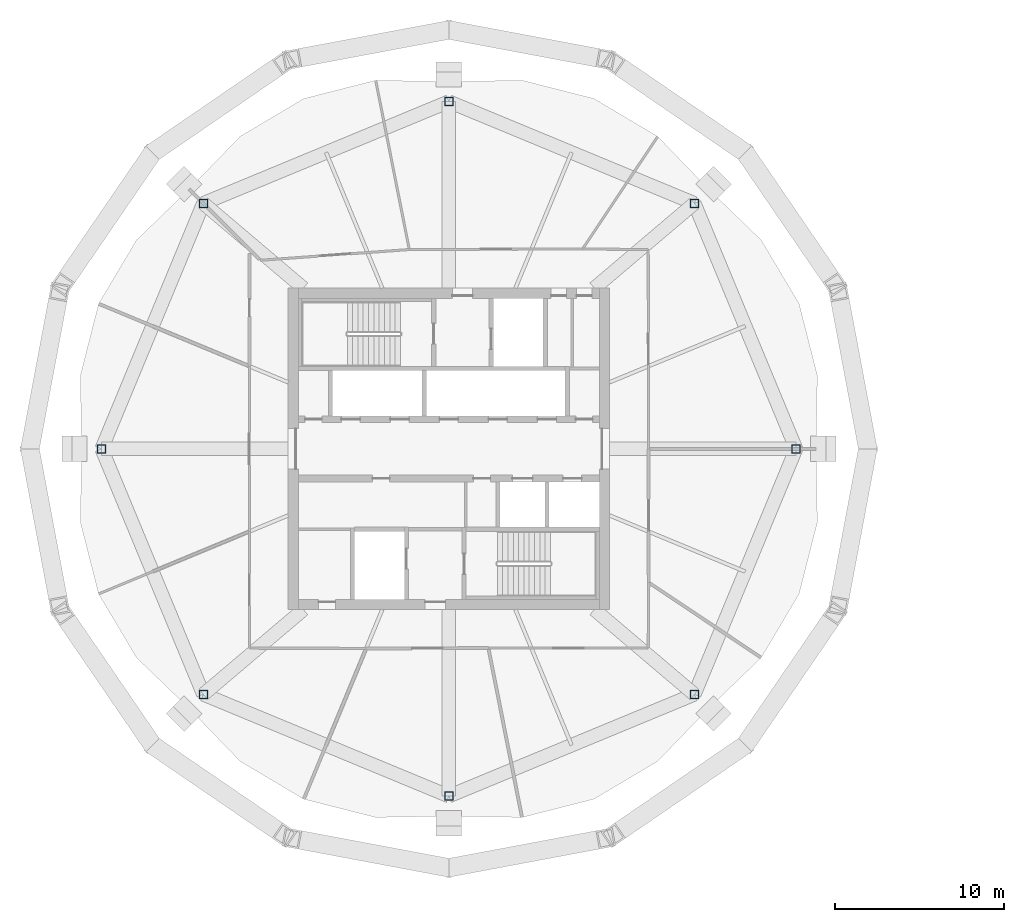
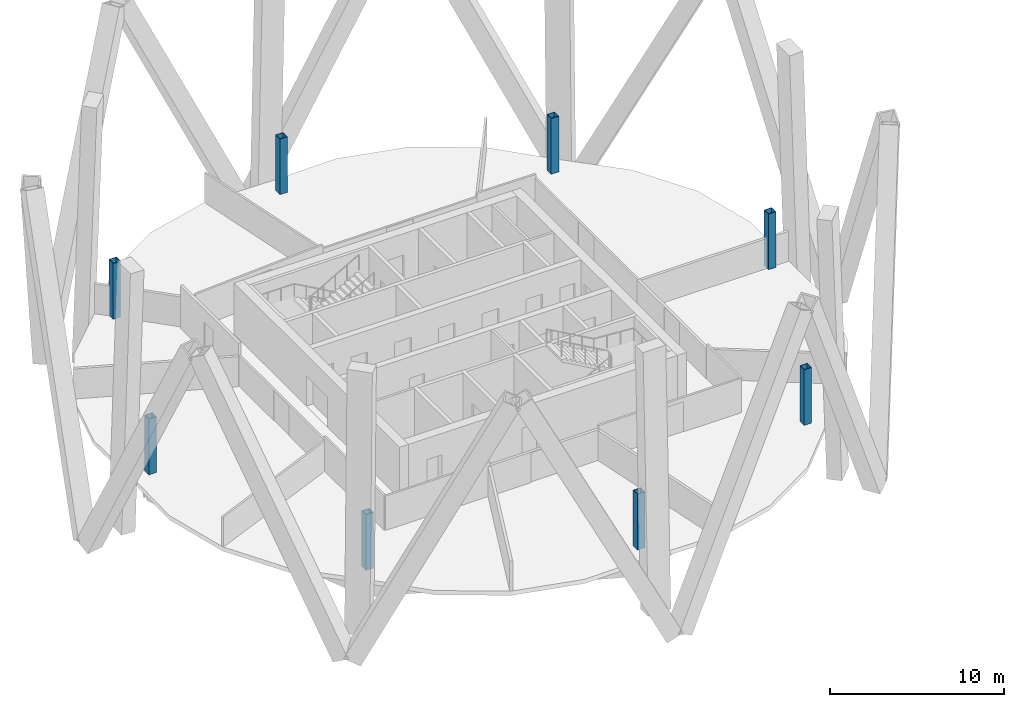
# One storey, part 1 of 10: 8 columns.
"""IFC4 building model written with IfcOpenShell, lengths in metres."""

from ifc_helpers import new_model, si_unit, direction, frame, origin, origin_2d, place, context, subcontext, project, spatial, hollow_rectangle, extrude, material, material_profile, profile_set, type_object, element, save


model = new_model("IFC4")

# Units and contexts
model_context = context("Model", 3, precision=1e-05, world=origin(), true_north=direction((0.0, 1.0)))
body_context = subcontext(model_context, "Body", "Model", "MODEL_VIEW")
ifc_project = project(units=[si_unit("LENGTHUNIT", "METRE"), si_unit("AREAUNIT", "SQUARE_METRE"), si_unit("VOLUMEUNIT", "CUBIC_METRE"), si_unit("PLANEANGLEUNIT", "RADIAN"), si_unit("MASSUNIT", "GRAM", prefix="KILO")], contexts=[model_context])

# Site, building, storey
site_placement = place(None, origin())
site = spatial("IfcSite", under=ifc_project, at=site_placement, CompositionType="ELEMENT")
building_placement = place(site_placement, origin())
building = spatial("IfcBuilding", under=site, at=building_placement, Name="Ogive Gate Towers", CompositionType="ELEMENT")
storey_placement = place(building_placement, frame((0.0, 0.0, 185.10009765625)))
storey = spatial("IfcBuildingStorey", under=building, at=storey_placement, Name="L44", CompositionType="ELEMENT", Elevation=185.10009765625)

# Columns
ifc_material = material(Name="Steel SM460", Category="steel")
ifc_material_profile = material_profile(ifc_material, hollow_rectangle(XDim=0.5, YDim=0.5, WallThickness=0.030029296875, at=origin_2d()), Name="BX 500x500x30")
ifc_profile_set = profile_set([ifc_material_profile], Name="Steel SM460")
column_type = type_object("IfcColumnType", Name="Perimeter post BX 500x500x30", PredefinedType="COLUMN", material=ifc_profile_set)
for number, where, z_axis, x_axis, name in (
    (1, (-15.47998046875, 0.0, 0.0), (0.0, 0.0, 1.0), (1.0, 0.0, 0.0), "T1/L44/SCL001"),
    (2, (-21.490234375, 14.509765625, 0.0), (0.0, 0.0, 1.0), (1.0, 0.0, 0.0), "T1/L44/SCL002"),
    (3, (-36.0, 20.52001953125, 0.0), (0.0, 0.0, 1.0), (1.0, 0.0, 0.0), "T1/L44/SCL003"),
    (4, (-50.509765625, 14.509765625, 0.0), (0.0, 0.0, 1.0), (1.0, 0.0, 0.0), "T1/L44/SCL004"),
    (5, (-56.52001953125, 0.0, 0.0), (0.0, 0.0, 1.0), (1.0, 0.0, 0.0), "T1/L44/SCL005"),
    (6, (-50.509765625, -14.509765625, 0.0), (0.0, 0.0, 1.0), (1.0, 0.0, 0.0), "T1/L44/SCL006"),
    (7, (-36.0, -20.52001953125, 0.0), (0.0, 0.0, 1.0), (1.0, 0.0, 0.0), "T1/L44/SCL007"),
    (8, (-21.490234375, -14.509765625, 0.0), (0.0, 0.0, 1.0), (1.0, 0.0, 0.0), "T1/L44/SCL008"),
):
    element("IfcColumn", number, at=place(storey_placement, frame(where, z_axis=z_axis, x_axis=x_axis)), inside=storey, type_object=column_type, Name=name, PredefinedType="COLUMN", context=body_context, shape_type="SweptSolid", body=[
        extrude(hollow_rectangle(XDim=0.5, YDim=0.5, WallThickness=0.030029296875, at=origin_2d()), origin(), (0.0, 0.0, 1.0), 3.89990234375),
    ])

save(model, "model.ifc")
